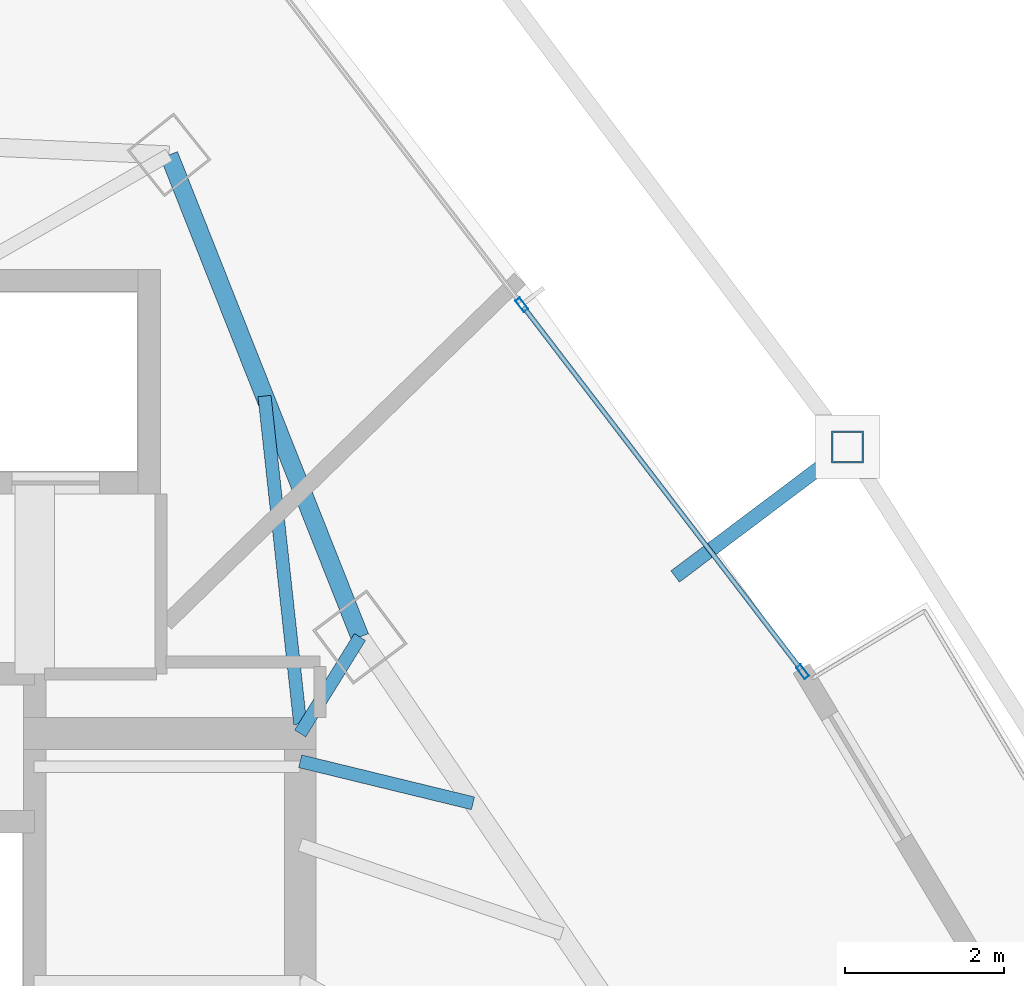
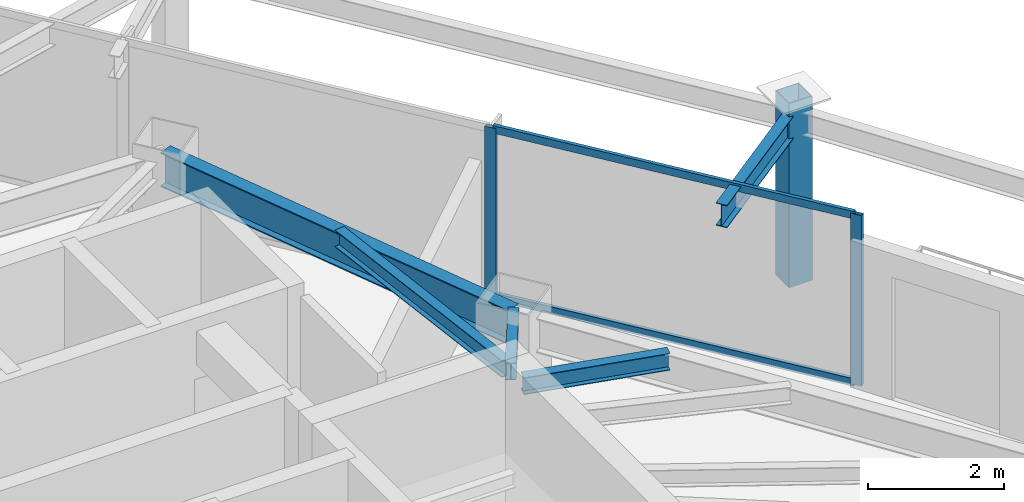
# One storey, part 22 of 31: 5 beams, 5 members, 1 element without a shape of its own.
"""IFC4 building model written with IfcOpenShell, lengths in metres."""

import ifcopenshell
import ifcopenshell.guid

model = None  # the IFC model being written
_history = None  # IfcOwnerHistory: only IFC2X3 demands one
_inside = {}  # id of a spatial element -> (the spatial element, [elements in it])
_under = {}  # id of a project, library or spatial element -> (it, [spatial elements below it])
_declared = {}  # id of a project -> (the project, [libraries it declares])
_typed = {}  # id of a type object -> (the type object, [elements of that type])
_made_of = {}  # id of a material, layer set ... -> (it, [elements and type objects made of it])


def new_model(schema):
    """Start an empty IFC model of exactly this schema.

    Asked for "IFC4X3", IfcOpenShell would pick the latest addendum, in which some entities
    have other attributes; the version numbers below select the first issue.
    IFC2X3 requires an IfcOwnerHistory on every rooted entity: one is made here for all.
    """
    global model, _history
    if schema == "IFC4X3":
        model = ifcopenshell.file(schema_version=(4, 3, 0, 0))
    else:
        model = ifcopenshell.file(schema=schema)
    _inside.clear()
    _under.clear()
    _declared.clear()
    _typed.clear()
    _made_of.clear()
    _history = None
    if model.schema == "IFC2X3":
        org = make("IfcOrganization", Name="unknown")
        user = make(
            "IfcPersonAndOrganization",
            ThePerson=make("IfcPerson", FamilyName="unknown"),
            TheOrganization=org,
        )
        app = make(
            "IfcApplication",
            ApplicationDeveloper=org,
            Version="unknown",
            ApplicationFullName="unknown",
            ApplicationIdentifier="unknown",
        )
        _history = make(
            "IfcOwnerHistory",
            OwningUser=user,
            OwningApplication=app,
            ChangeAction="ADDED",
            CreationDate=0,
        )
    return model


def make(cls, **values):
    """One entity of the class cls with the attributes given. An attribute that is None is left unset."""
    return model.create_entity(
        cls, **{name: value for name, value in values.items() if value is not None}
    )


def rooted(cls, **values):
    """An entity with a GlobalId (a new one), such as an element, a storey or a relation."""
    return make(cls, GlobalId=ifcopenshell.guid.new(), OwnerHistory=_history, **values)


def si_unit(unit_type, name, prefix=None):
    """IfcSIUnit, for example si_unit("LENGTHUNIT", "METRE", prefix="MILLI")."""
    return make("IfcSIUnit", UnitType=unit_type, Prefix=prefix, Name=name)


def assignment(units):
    """IfcUnitAssignment: the units of a project."""
    return None if units is None else make("IfcUnitAssignment", Units=units)


def point(xyz):
    """IfcCartesianPoint."""
    return None if xyz is None else make("IfcCartesianPoint", Coordinates=xyz)


def direction(xyz):
    """IfcDirection."""
    return None if xyz is None else make("IfcDirection", DirectionRatios=xyz)


def frame(location, z_axis=None, x_axis=None):
    """IfcAxis2Placement3D, a coordinate frame: its origin and axes. An axis left out is left unset."""
    return make(
        "IfcAxis2Placement3D",
        Location=point(location),
        Axis=direction(z_axis),
        RefDirection=direction(x_axis),
    )


def frame_2d(location, x_axis=None):
    """IfcAxis2Placement2D, a coordinate frame in the plane: its origin and x axis."""
    return make(
        "IfcAxis2Placement2D", Location=point(location), RefDirection=direction(x_axis)
    )


def origin():
    """The frame at (0, 0, 0) with its axes left unset."""
    return frame((0.0, 0.0, 0.0))


def origin_2d():
    """The frame at (0, 0) in the plane with its x axis left unset."""
    return frame_2d((0.0, 0.0))


def place(relative_to, where):
    """IfcLocalPlacement: puts the frame where relative to a parent placement (None: the world)."""
    return make(
        "IfcLocalPlacement", PlacementRelTo=relative_to, RelativePlacement=where
    )


def context(
    kind, dimensions, precision=None, world=None, true_north=None, identifier=None
):
    """IfcGeometricRepresentationContext, for example the 3D "Model" context."""
    return make(
        "IfcGeometricRepresentationContext",
        ContextIdentifier=identifier,
        ContextType=kind,
        CoordinateSpaceDimension=dimensions,
        Precision=precision,
        WorldCoordinateSystem=world,
        TrueNorth=true_north,
    )


def subcontext(parent, identifier, kind, view, scale=None):
    """IfcGeometricRepresentationSubContext, for example "Body" below "Model"."""
    return make(
        "IfcGeometricRepresentationSubContext",
        ContextIdentifier=identifier,
        ContextType=kind,
        ParentContext=parent,
        TargetScale=scale,
        TargetView=view,
    )


def project(units=None, contexts=None):
    """IfcProject with its units and contexts."""
    return rooted(
        "IfcProject",
        Name="project",
        RepresentationContexts=contexts,
        UnitsInContext=assignment(units),
    )


def spatial(cls, under=None, at=None, **own):
    """A site, building, storey or space (cls), placed at a placement, below another one or the project."""
    s = rooted(cls, ObjectPlacement=at, **own)
    if under is not None:
        _under.setdefault(under.id(), (under, []))[1].append(s)
    return s


def profile(cls, at=None, kind="AREA", **sizes):
    """A parametric profile (cls). Its sizes go by their IFC names, for example OverallWidth=200.0."""
    return make(cls, ProfileType=kind, Position=at, **sizes)


def hollow_rectangle(**sizes):
    """IfcRectangleHollowProfileDef."""
    return profile("IfcRectangleHollowProfileDef", **sizes)


def i_section(**sizes):
    """IfcIShapeProfileDef."""
    return profile("IfcIShapeProfileDef", **sizes)


def extrude(swept, where, along, depth):
    """IfcExtrudedAreaSolid: the profile swept, set in the frame where, extruded along a direction by depth."""
    return make(
        "IfcExtrudedAreaSolid",
        SweptArea=swept,
        Position=where,
        ExtrudedDirection=direction(along),
        Depth=depth,
    )


def shape(context_of_items, identifier, shape_type, items):
    """IfcShapeRepresentation: the items that make up one representation, for example the "Body"."""
    return make(
        "IfcShapeRepresentation",
        ContextOfItems=context_of_items,
        RepresentationIdentifier=identifier,
        RepresentationType=shape_type,
        Items=items,
    )


def material(Name=None, Category=None):
    """IfcMaterial."""
    return make("IfcMaterial", Name=Name, Category=Category)


def layer(
    of_material, thickness, ventilated=None, Name=None, Category=None, Priority=None
):
    """IfcMaterialLayer: one layer of a wall or slab, of a material (None: an air gap)."""
    return make(
        "IfcMaterialLayer",
        Material=of_material,
        LayerThickness=thickness,
        IsVentilated=ventilated,
        Name=Name,
        Category=Category,
        Priority=Priority,
    )


def layer_set(layers, Name=None):
    """IfcMaterialLayerSet."""
    return make("IfcMaterialLayerSet", MaterialLayers=layers, LayerSetName=Name)


def material_profile(
    of_material, cross_section, Name=None, Category=None, Priority=None
):
    """IfcMaterialProfile: a cross section and its material."""
    return make(
        "IfcMaterialProfile",
        Name=Name,
        Material=of_material,
        Profile=cross_section,
        Priority=Priority,
        Category=Category,
    )


def profile_set(profiles, Name=None, composite=None):
    """IfcMaterialProfileSet."""
    return make(
        "IfcMaterialProfileSet",
        Name=Name,
        MaterialProfiles=profiles,
        CompositeProfile=composite,
    )


def made_of(thing, what):
    """Note that an element or type object is made of a material, layer set ...; save() writes the relation."""
    if what is not None:
        _made_of.setdefault(what.id(), (what, []))[1].append(thing)
    return thing


def type_object(cls, material=None, **own):
    """A type object (cls), such as IfcWallType, which elements share."""
    return made_of(rooted(cls, **own), material)


def element(
    cls,
    number,
    at=None,
    inside=None,
    cuts=None,
    type_object=None,
    material=None,
    context=None,
    identifier="Body",
    shape_type=None,
    held_by="IfcProductDefinitionShape",
    body=None,
    shapes=None,
    **own,
):
    """One element of the class cls, such as IfcWall. Its Tag is "e" and its number.

    at: its placement. inside: the storey or other place that contains it. cuts: it is an
    opening in that element (IfcRelVoidsElement). A single representation is given by context,
    identifier, shape_type and body (its items); several are given by shapes. held_by: the class
    of the entity that holds the representations. save() writes the other relations.
    """
    e = rooted(cls, Tag="e%d" % number, ObjectPlacement=at, **own)
    if body is not None:
        shapes = [shape(context, identifier, shape_type, body)]
    if shapes is not None:
        e.Representation = make(held_by, Representations=shapes)
    if inside is not None:
        _inside.setdefault(inside.id(), (inside, []))[1].append(e)
    if cuts is not None:
        rooted(
            "IfcRelVoidsElement", RelatingBuildingElement=cuts, RelatedOpeningElement=e
        )
    if type_object is not None:
        _typed.setdefault(type_object.id(), (type_object, []))[1].append(e)
    return made_of(e, material)


def aggregate(whole, parts):
    """IfcRelAggregates: a whole, such as a stair, and the parts it consists of."""
    return rooted("IfcRelAggregates", RelatingObject=whole, RelatedObjects=parts)


def save(model, path):
    """Write the relations noted so far, then the file.

    IfcRelAggregates (storeys below a building ...), IfcRelContainedInSpatialStructure (elements
    in a storey), IfcRelDefinesByType, IfcRelAssociatesMaterial and IfcRelDeclares: one each for
    every whole, place, type object, material and project.
    """
    for whole, parts in _under.values():
        aggregate(whole, parts)
    for where, things in _inside.values():
        rooted(
            "IfcRelContainedInSpatialStructure",
            RelatedElements=things,
            RelatingStructure=where,
        )
    for kind, things in _typed.values():
        rooted("IfcRelDefinesByType", RelatedObjects=things, RelatingType=kind)
    for what, things in _made_of.values():
        rooted("IfcRelAssociatesMaterial", RelatedObjects=things, RelatingMaterial=what)
    for by, libraries in _declared.values():
        rooted("IfcRelDeclares", RelatingContext=by, RelatedDefinitions=libraries)
    model.write(path)


model = new_model("IFC4")

# Units and contexts
model_context = context("Model", 3, precision=1e-05, world=origin(), true_north=direction((0.0, 1.0)))
body_context = subcontext(model_context, "Body", "Model", "MODEL_VIEW")
ifc_project = project(units=[si_unit("LENGTHUNIT", "METRE"), si_unit("AREAUNIT", "SQUARE_METRE"), si_unit("VOLUMEUNIT", "CUBIC_METRE"), si_unit("PLANEANGLEUNIT", "RADIAN"), si_unit("MASSUNIT", "GRAM", prefix="KILO")], contexts=[model_context])

# Site, building, storey
site_placement = place(None, origin())
site = spatial("IfcSite", under=ifc_project, at=site_placement, CompositionType="ELEMENT")
building_placement = place(site_placement, origin())
building = spatial("IfcBuilding", under=site, at=building_placement, Name="Orvanel Arch Residences", CompositionType="ELEMENT")
storey_placement = place(building_placement, frame((0.0, 0.0, 113.300048828125)))
storey = spatial("IfcBuildingStorey", under=building, at=storey_placement, Name="L31", CompositionType="ELEMENT", Elevation=113.300048828125)

# Beams
ifc_material_1 = material(Name="Structural steel AS/NZS 3679.1 Grade 300 (300 MPa)", Category="steel")
ifc_material_profile_1 = material_profile(ifc_material_1, i_section(OverallWidth=0.1650390625, OverallDepth=0.303955078125, WebThickness=0.006103515625, FlangeThickness=0.01025390625, at=origin_2d()), Name="310UB40.4")
ifc_profile_set_1 = profile_set([ifc_material_profile_1], Name="Structural steel AS/NZS 3679.1 Grade 300 (300 MPa)")
beam_type_1 = type_object("IfcBeamType", Name="BJ-310UB", PredefinedType="JOIST", material=ifc_profile_set_1)
beam_1_placement = place(storey_placement, frame((39.60009765625, 33.89990234375, 2.907958984375), z_axis=(0.526843290616, 0.84996243866, 0.0), x_axis=(-0.84996243866, 0.526843290616, 0.0)))
element("IfcBeam", 1, at=beam_1_placement, inside=storey, type_object=beam_type_1, Name="L31 NNE Wing Floor Joist", PredefinedType="JOIST", context=body_context, shape_type="SweptSolid", body=[
    extrude(i_section(OverallWidth=0.1650390625, OverallDepth=0.303955078125, WebThickness=0.006103515625, FlangeThickness=0.01025390625, at=origin_2d()), origin(), (0.0, 0.0, 1.0), 1.42724609375),
])
beam_2_placement = place(storey_placement, frame((39.60009765625, 34.02001953125, 2.907958984375), z_axis=(-0.108261441852, 0.99412245735, 0.0), x_axis=(-0.99412245735, -0.108261441852, 0.0)))
element("IfcBeam", 2, at=beam_2_placement, inside=storey, type_object=beam_type_1, Name="L31 NNE2 Wing Floor Joist", PredefinedType="JOIST", context=body_context, shape_type="SweptSolid", body=[
    extrude(i_section(OverallWidth=0.1650390625, OverallDepth=0.303955078125, WebThickness=0.006103515625, FlangeThickness=0.01025390625, at=origin_2d()), origin(), (0.0, 0.0, 1.0), 4.1494140625),
])
beam_3_placement = place(storey_placement, frame((39.60009765625, 33.550048828125, 2.907958984375), z_axis=(0.971638471014, -0.236471312521, 0.0), x_axis=(0.236471312521, 0.971638471014, 0.0)))
element("IfcBeam", 3, at=beam_3_placement, inside=storey, type_object=beam_type_1, Name="L31 JADD4 Wing Floor Joist", PredefinedType="JOIST", context=body_context, shape_type="SweptSolid", body=[
    extrude(i_section(OverallWidth=0.1650390625, OverallDepth=0.303955078125, WebThickness=0.006103515625, FlangeThickness=0.01025390625, at=origin_2d()), origin(), (0.0, 0.0, 1.0), 2.2373046875),
])

# Curtain wall, members
ifc_material_2 = material(Name="Bronze-anodised aluminium AA6063-T6", Category="aluminium")
ifc_layer = layer(ifc_material_2, 0.179931640625)
ifc_layer_set = layer_set([ifc_layer], Name="Bronze-anodised aluminium AA6063-T6")
curtain_wall_type = type_object("IfcCurtainWallType", Name="CW3-MID-SYS", PredefinedType="NOTDEFINED", material=ifc_layer_set)
curtain_wall_placement = place(storey_placement, origin())
curtain_wall = element("IfcCurtainWall", 4, at=curtain_wall_placement, inside=storey, type_object=curtain_wall_type, Name="L31 CW3-MID-SYS Unitised Curtain Wall", PredefinedType="NOTDEFINED")
ifc_material_profile_2 = material_profile(ifc_material_2, hollow_rectangle(XDim=0.070068359375, YDim=0.179931640625, WallThickness=0.00439453125, at=origin_2d()), Name="ALU180x70x4.5")
ifc_profile_set_2 = profile_set([ifc_material_profile_2], Name="Bronze-anodised aluminium AA6063-T6")
member_type_1 = type_object("IfcMemberType", Name="MUL-180x70", PredefinedType="MULLION", material=ifc_profile_set_2)
member_1_placement = place(storey_placement, frame((45.921630859375, 34.677734375, 0.0), z_axis=(0.0, 0.0, 1.0), x_axis=(-0.794009853454, -0.607904887805, 0.0)))
member_1 = element("IfcMember", 5, at=member_1_placement, type_object=member_type_1, Name="CW-S3 mullion 1", PredefinedType="MULLION", context=body_context, shape_type="SweptSolid", body=[
    extrude(hollow_rectangle(XDim=0.070068359375, YDim=0.179931640625, WallThickness=0.00439453125, at=origin_2d()), origin(), (0.0, 0.0, 1.0), 3.06005859375),
])
member_2_placement = place(storey_placement, frame((42.387939453125, 39.293212890625, 0.0), z_axis=(0.0, 0.0, 1.0), x_axis=(-0.794009853454, -0.607904887805, 0.0)))
member_2 = element("IfcMember", 6, at=member_2_placement, type_object=member_type_1, Name="CW-S3 mullion 2", PredefinedType="MULLION", context=body_context, shape_type="SweptSolid", body=[
    extrude(hollow_rectangle(XDim=0.070068359375, YDim=0.179931640625, WallThickness=0.00439453125, at=origin_2d()), origin(), (0.0, 0.0, 1.0), 3.06005859375),
])

# Beams
ifc_material_profile_3 = material_profile(ifc_material_1, i_section(OverallWidth=0.177978515625, OverallDepth=0.406005859375, WebThickness=0.0078125, FlangeThickness=0.0126953125, at=origin_2d()), Name="410UB59.7")
ifc_profile_set_3 = profile_set([ifc_material_profile_3], Name="Structural steel AS/NZS 3679.1 Grade 300 (300 MPa)")
beam_type_2 = type_object("IfcBeamType", Name="OB-410UB-EXT", PredefinedType="SPANDREL", material=ifc_profile_set_3)
beam_4_placement = place(storey_placement, frame((44.31689453125, 35.8740234375, 2.85693359375), z_axis=(0.799297762146, 0.600935177393, 0.0), x_axis=(-0.600935177393, 0.799297762146, 0.0)))
element("IfcBeam", 7, at=beam_4_placement, inside=storey, type_object=beam_type_2, Name="L31 Outer Frame Radial Tie Beam 11", PredefinedType="SPANDREL", context=body_context, shape_type="SweptSolid", body=[
    extrude(i_section(OverallWidth=0.177978515625, OverallDepth=0.406005859375, WebThickness=0.0078125, FlangeThickness=0.0126953125, at=origin_2d()), origin(), (0.0, 0.0, 1.0), 2.7138671875),
])
ifc_material_profile_4 = material_profile(ifc_material_1, i_section(OverallWidth=0.22900390625, OverallDepth=0.612060546875, WebThickness=0.011962890625, FlangeThickness=0.01953125, at=origin_2d()), Name="610UB125")
ifc_profile_set_4 = profile_set([ifc_material_profile_4], Name="Structural steel AS/NZS 3679.1 Grade 300 (300 MPa)")
beam_type_3 = type_object("IfcBeamType", Name="SP-610UB", PredefinedType="SPANDREL", material=ifc_profile_set_4)
beam_5_placement = place(storey_placement, frame((40.35205078125, 35.113037109375, 2.75390625), z_axis=(-0.368233143579, 0.929733484376, 0.0), x_axis=(-0.929733484376, -0.368233143579, 0.0)))
element("IfcBeam", 8, at=beam_5_placement, inside=storey, type_object=beam_type_3, Name="L31 Perimeter Spandrel Beam 13", PredefinedType="SPANDREL", context=body_context, shape_type="SweptSolid", body=[
    extrude(i_section(OverallWidth=0.22900390625, OverallDepth=0.612060546875, WebThickness=0.011962890625, FlangeThickness=0.01953125, at=origin_2d()), origin(), (0.0, 0.0, 1.0), 6.523193359375),
])

# Member
ifc_material_3 = material(Name="Structural steel AS/NZS 1163 C450L0 (Grade 450)", Category="steel")
ifc_material_profile_5 = material_profile(ifc_material_3, hollow_rectangle(XDim=0.39990234375, YDim=0.39990234375, WallThickness=0.01611328125, at=origin_2d()), Name="SHS400x400x16")
ifc_profile_set_5 = profile_set([ifc_material_profile_5], Name="Structural steel AS/NZS 1163 C450L0 (Grade 450)")
member_type_2 = type_object("IfcMemberType", Name="ST-400SHS-EXT", PredefinedType="STRUT", material=ifc_profile_set_5)
member_3_placement = place(storey_placement, frame((46.486083984375, 37.5048828125, 0.0), z_axis=(0.0, 0.0, 1.0), x_axis=(1.0, 0.0, 0.0)))
element("IfcMember", 9, at=member_3_placement, inside=storey, type_object=member_type_2, Name="L31 Outer Perimeter Frame Post 11", PredefinedType="STRUT", context=body_context, shape_type="SweptSolid", body=[
    extrude(hollow_rectangle(XDim=0.39990234375, YDim=0.39990234375, WallThickness=0.01611328125, at=origin_2d()), origin(), (0.0, 0.0, 1.0), 3.300048828125),
])

ifc_material_profile_6 = material_profile(ifc_material_2, hollow_rectangle(XDim=0.06005859375, YDim=0.135009765625, WallThickness=0.00390625, at=origin_2d()), Name="ALU135x60x4")
ifc_profile_set_6 = profile_set([ifc_material_profile_6], Name="Bronze-anodised aluminium AA6063-T6")
member_type_3 = type_object("IfcMemberType", Name="TRN-135x60", PredefinedType="USERDEFINED", material=ifc_profile_set_6)
member_4_placement = place(storey_placement, frame((45.900390625, 34.70556640625, 0.030029296875), z_axis=(-0.607901289978, 0.794012607987, 0.0), x_axis=(-0.794012607987, -0.607901289978, 0.0)))
member_4 = element("IfcMember", 10, at=member_4_placement, type_object=member_type_3, Name="CW-S3 transom 1.1", ObjectType="TRANSOM", PredefinedType="USERDEFINED", context=body_context, shape_type="SweptSolid", body=[
    extrude(hollow_rectangle(XDim=0.06005859375, YDim=0.135009765625, WallThickness=0.00390625, at=origin_2d()), origin(), (0.0, 0.0, 1.0), 5.7431640625),
])

member_5_placement = place(storey_placement, frame((45.900390625, 34.70556640625, 3.030029296875), z_axis=(-0.607901289978, 0.794012607987, 0.0), x_axis=(-0.794012607987, -0.607901289978, 0.0)))
member_5 = element("IfcMember", 11, at=member_5_placement, type_object=member_type_3, Name="CW-S3 transom 1.2", ObjectType="TRANSOM", PredefinedType="USERDEFINED", context=body_context, shape_type="SweptSolid", body=[
    extrude(hollow_rectangle(XDim=0.06005859375, YDim=0.135009765625, WallThickness=0.00390625, at=origin_2d()), origin(), (0.0, 0.0, 1.0), 5.7431640625),
])

aggregate(curtain_wall, [member_1, member_2, member_4, member_5])

save(model, "model.ifc")
